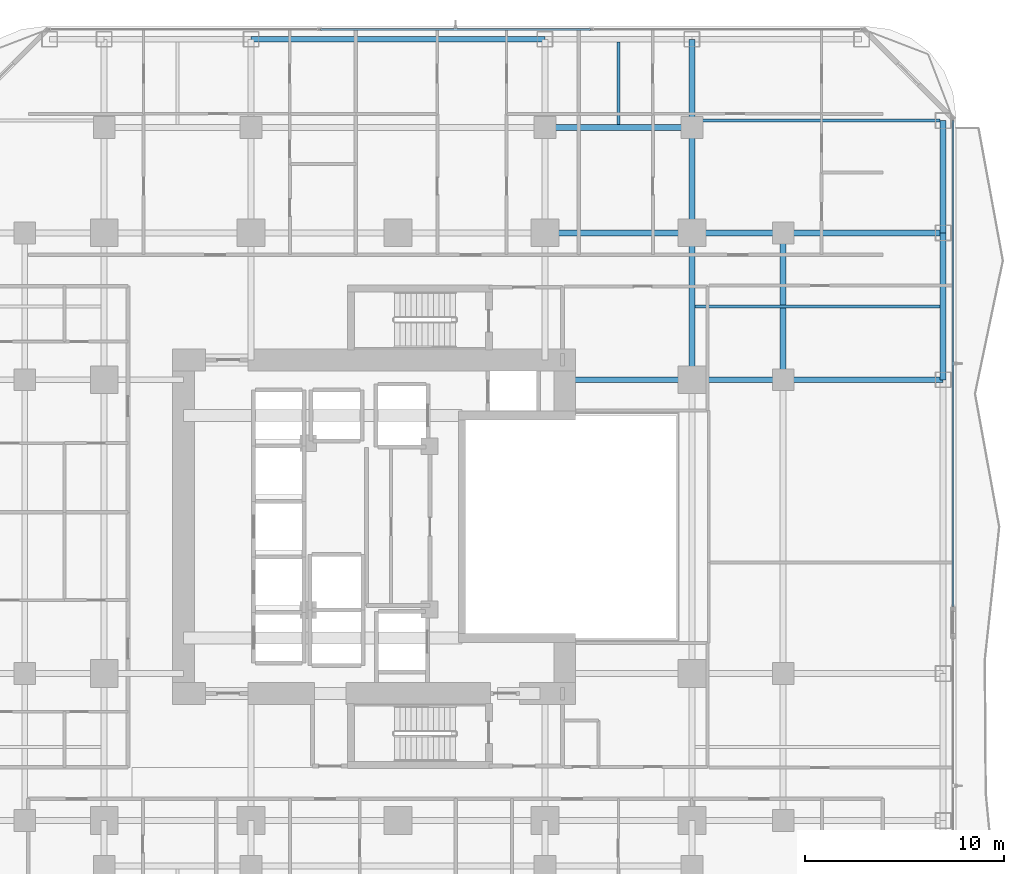
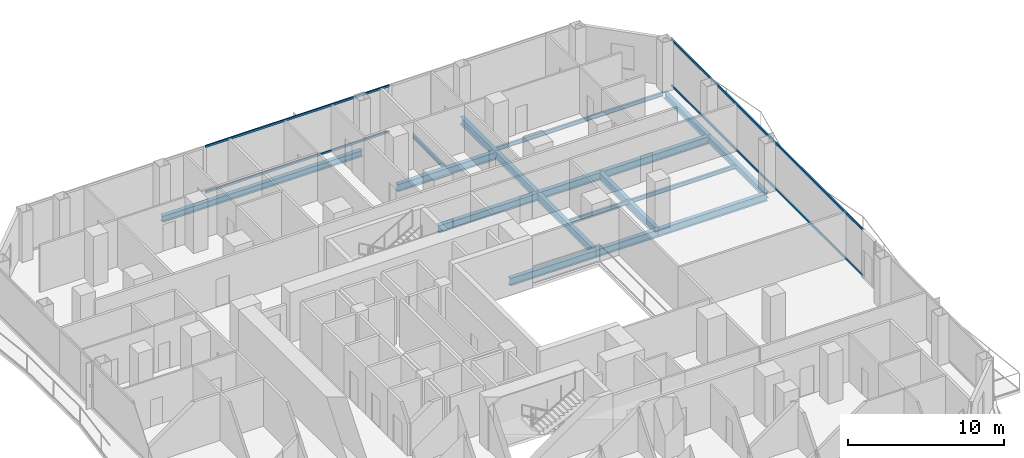
# One storey, part 16 of 30: 17 beams, 4 members, 2 elements without a shape of their own.
"""IFC4 building model written with IfcOpenShell, lengths in metres."""

from ifc_helpers import new_model, si_unit, direction, frame, origin, origin_2d, place, context, subcontext, project, spatial, hollow_rectangle, i_section, extrude, material, layer, layer_set, material_profile, profile_set, type_object, element, aggregate, save


model = new_model("IFC4")

# Units and contexts
model_context = context("Model", 3, precision=1e-05, world=origin(), true_north=direction((0.0, 1.0)))
body_context = subcontext(model_context, "Body", "Model", "MODEL_VIEW")
ifc_project = project(units=[si_unit("LENGTHUNIT", "METRE"), si_unit("AREAUNIT", "SQUARE_METRE"), si_unit("VOLUMEUNIT", "CUBIC_METRE"), si_unit("PLANEANGLEUNIT", "RADIAN"), si_unit("MASSUNIT", "GRAM", prefix="KILO")], contexts=[model_context])

# Site, building, storey
site_placement = place(None, origin())
site = spatial("IfcSite", under=ifc_project, at=site_placement, CompositionType="ELEMENT")
building_placement = place(site_placement, origin())
building = spatial("IfcBuilding", under=site, at=building_placement, Name="Khorvyn Point Tower", CompositionType="ELEMENT")
storey_placement = place(building_placement, frame((0.0, 0.0, 30.60009765625)))
storey = spatial("IfcBuildingStorey", under=building, at=storey_placement, Name="L08", CompositionType="ELEMENT", Elevation=30.60009765625)

# Curtain wall, members
ifc_material_1 = material(Name="Anodised aluminium 6063-T6 and laminated Low-E glass", Category="aluminium")
ifc_layer = layer(ifc_material_1, 0.18994140625)
ifc_layer_set = layer_set([ifc_layer], Name="Stick-Built Finned Residential Curtain Wall CW-SYS-02")
curtain_wall_type = type_object("IfcCurtainWallType", Name="Stick-Built Finned Residential Curtain Wall CW-SYS-02", PredefinedType="NOTDEFINED", material=ifc_layer_set)
curtain_wall_1_placement = place(storey_placement, origin())
curtain_wall_1 = element("IfcCurtainWall", 1, at=curtain_wall_1_placement, inside=storey, type_object=curtain_wall_type, Name="Curtain Wall", PredefinedType="NOTDEFINED")
ifc_material_2 = material(Name="Anodised aluminium 6063-T6", Category="aluminium")
ifc_material_profile_1 = material_profile(ifc_material_2, hollow_rectangle(XDim=0.10009765625, YDim=0.159912109375, WallThickness=0.00439453125, at=origin_2d()))
ifc_profile_set_1 = profile_set([ifc_material_profile_1], Name="Anodised aluminium 6063-T6 ALU-TRN-100x160")
member_type = type_object("IfcMemberType", Name="Anodised Aluminium 6063-T6 Transom ALU-TRN-100x160", PredefinedType="USERDEFINED", material=ifc_profile_set_1)
member_1_placement = place(storey_placement, frame((-3.89990234375, 25.050048828125, 0.0498046875), z_axis=(1.0, 0.0, 0.0), x_axis=(0.0, 1.0, 0.0)))
member_1 = element("IfcMember", 2, at=member_1_placement, type_object=member_type, Name="Transom", ObjectType="TRANSOM", PredefinedType="USERDEFINED", context=body_context, shape_type="SweptSolid", body=[
    extrude(hollow_rectangle(XDim=0.10009765625, YDim=0.159912109375, WallThickness=0.00439453125, at=origin_2d()), origin(), (0.0, 0.0, 1.0), 13.599853515625),
])
member_2_placement = place(storey_placement, frame((-3.89990234375, 25.050048828125, 3.6298828125), z_axis=(1.0, 0.0, 0.0), x_axis=(0.0, 1.0, 0.0)))
member_2 = element("IfcMember", 3, at=member_2_placement, type_object=member_type, Name="Transom", ObjectType="TRANSOM", PredefinedType="USERDEFINED", context=body_context, shape_type="SweptSolid", body=[
    extrude(hollow_rectangle(XDim=0.10009765625, YDim=0.159912109375, WallThickness=0.00439453125, at=origin_2d()), origin(), (0.0, 0.0, 1.0), 13.599853515625),
])
aggregate(curtain_wall_1, [member_1, member_2])

curtain_wall_2_placement = place(storey_placement, origin())
curtain_wall_2 = element("IfcCurtainWall", 4, at=curtain_wall_2_placement, inside=storey, type_object=curtain_wall_type, Name="Curtain Wall", PredefinedType="NOTDEFINED")
member_3_placement = place(storey_placement, frame((27.949951171875, 20.449951171875, 0.0498046875), z_axis=(0.0, -1.0, 0.0), x_axis=(1.0, 0.0, 0.0)))
member_3 = element("IfcMember", 5, at=member_3_placement, type_object=member_type, Name="Transom", ObjectType="TRANSOM", PredefinedType="USERDEFINED", context=body_context, shape_type="SweptSolid", body=[
    extrude(hollow_rectangle(XDim=0.10009765625, YDim=0.159912109375, WallThickness=0.00439453125, at=origin_2d()), origin(), (0.0, 0.0, 1.0), 24.4599609375),
])
member_4_placement = place(storey_placement, frame((27.949951171875, 20.449951171875, 3.6298828125), z_axis=(0.0, -1.0, 0.0), x_axis=(1.0, 0.0, 0.0)))
member_4 = element("IfcMember", 6, at=member_4_placement, type_object=member_type, Name="Transom", ObjectType="TRANSOM", PredefinedType="USERDEFINED", context=body_context, shape_type="SweptSolid", body=[
    extrude(hollow_rectangle(XDim=0.10009765625, YDim=0.159912109375, WallThickness=0.00439453125, at=origin_2d()), origin(), (0.0, 0.0, 1.0), 24.4599609375),
])
aggregate(curtain_wall_2, [member_3, member_4])

# Beams
ifc_material_3 = material(Name="Steel S355", Category="steel")
ifc_material_profile_2 = material_profile(ifc_material_3, i_section(OverallWidth=0.300048828125, OverallDepth=0.587890625, WebThickness=0.011962890625, FlangeThickness=0.02001953125, at=origin_2d()))
ifc_profile_set_2 = profile_set([ifc_material_profile_2], Name="Steel S355 H588x300x12x20")
beam_type_1 = type_object("IfcBeamType", Name="Steel S355 Beam H588x300x12x20", PredefinedType="BEAM", material=ifc_profile_set_2)
beam_1_placement = place(storey_placement, frame((7.39990234375, 14.800048828125, -0.51416015625), z_axis=(1.0, 0.0, 0.0), x_axis=(0.0, 1.0, 0.0)))
element("IfcBeam", 7, at=beam_1_placement, inside=storey, type_object=beam_type_1, Name="Beam", PredefinedType="BEAM", context=body_context, shape_type="SweptSolid", body=[
    extrude(i_section(OverallWidth=0.300048828125, OverallDepth=0.587890625, WebThickness=0.011962890625, FlangeThickness=0.02001953125, at=origin_2d()), origin(), (0.0, 0.0, 1.0), 7.400146484375),
])
beam_2_placement = place(storey_placement, frame((14.800048828125, 14.800048828125, -0.51416015625), z_axis=(1.0, 0.0, 0.0), x_axis=(0.0, 1.0, 0.0)))
element("IfcBeam", 8, at=beam_2_placement, inside=storey, type_object=beam_type_1, Name="Beam", PredefinedType="BEAM", context=body_context, shape_type="SweptSolid", body=[
    extrude(i_section(OverallWidth=0.300048828125, OverallDepth=0.587890625, WebThickness=0.011962890625, FlangeThickness=0.02001953125, at=origin_2d()), origin(), (0.0, 0.0, 1.0), 4.599853515625),
])
beam_3_placement = place(storey_placement, frame((19.39990234375, 14.800048828125, -0.51416015625), z_axis=(1.0, 0.0, 0.0), x_axis=(0.0, 1.0, 0.0)))
element("IfcBeam", 9, at=beam_3_placement, inside=storey, type_object=beam_type_1, Name="Beam", PredefinedType="BEAM", context=body_context, shape_type="SweptSolid", body=[
    extrude(i_section(OverallWidth=0.300048828125, OverallDepth=0.587890625, WebThickness=0.011962890625, FlangeThickness=0.02001953125, at=origin_2d()), origin(), (0.0, 0.0, 1.0), 8.050048828125),
])
beam_4_placement = place(storey_placement, frame((8.39990234375, 7.39990234375, -0.51416015625), z_axis=(1.0, 0.0, 0.0), x_axis=(0.0, 1.0, 0.0)))
element("IfcBeam", 10, at=beam_4_placement, inside=storey, type_object=beam_type_1, Name="Beam", PredefinedType="BEAM", context=body_context, shape_type="SweptSolid", body=[
    extrude(i_section(OverallWidth=0.300048828125, OverallDepth=0.587890625, WebThickness=0.011962890625, FlangeThickness=0.02001953125, at=origin_2d()), origin(), (0.0, 0.0, 1.0), 6.400146484375),
])
beam_5_placement = place(storey_placement, frame((14.800048828125, 7.39990234375, -0.51416015625), z_axis=(1.0, 0.0, 0.0), x_axis=(0.0, 1.0, 0.0)))
element("IfcBeam", 11, at=beam_5_placement, inside=storey, type_object=beam_type_1, Name="Beam", PredefinedType="BEAM", context=body_context, shape_type="SweptSolid", body=[
    extrude(i_section(OverallWidth=0.300048828125, OverallDepth=0.587890625, WebThickness=0.011962890625, FlangeThickness=0.02001953125, at=origin_2d()), origin(), (0.0, 0.0, 1.0), 4.599853515625),
])
beam_6_placement = place(storey_placement, frame((19.39990234375, 7.39990234375, -0.51416015625), z_axis=(1.0, 0.0, 0.0), x_axis=(0.0, 1.0, 0.0)))
element("IfcBeam", 12, at=beam_6_placement, inside=storey, type_object=beam_type_1, Name="Beam", PredefinedType="BEAM", context=body_context, shape_type="SweptSolid", body=[
    extrude(i_section(OverallWidth=0.300048828125, OverallDepth=0.587890625, WebThickness=0.011962890625, FlangeThickness=0.02001953125, at=origin_2d()), origin(), (0.0, 0.0, 1.0), 8.050048828125),
])
for number, where, z_axis, x_axis, name in (
    (13, (7.39990234375, 20.10009765625, -0.51416015625), (1.0, 0.0, 0.0), (0.0, 1.0, 0.0), "Beam"),
    (14, (14.800048828125, 7.39990234375, -0.51416015625), (0.0, 1.0, 0.0), (-1.0, 0.0, 0.0), "Beam"),
):
    element("IfcBeam", number, at=place(storey_placement, frame(where, z_axis=z_axis, x_axis=x_axis)), inside=storey, type_object=beam_type_1, Name=name, PredefinedType="BEAM", context=body_context, shape_type="SweptSolid", body=[
        extrude(i_section(OverallWidth=0.300048828125, OverallDepth=0.587890625, WebThickness=0.011962890625, FlangeThickness=0.02001953125, at=origin_2d()), origin(), (0.0, 0.0, 1.0), 7.400146484375),
    ])
beam_7_placement = place(storey_placement, frame((14.800048828125, 14.800048828125, -0.51416015625), z_axis=(0.0, 1.0, 0.0), x_axis=(-1.0, 0.0, 0.0)))
element("IfcBeam", 15, at=beam_7_placement, inside=storey, type_object=beam_type_1, Name="Beam", PredefinedType="BEAM", context=body_context, shape_type="SweptSolid", body=[
    extrude(i_section(OverallWidth=0.300048828125, OverallDepth=0.587890625, WebThickness=0.011962890625, FlangeThickness=0.02001953125, at=origin_2d()), origin(), (0.0, 0.0, 1.0), 5.300048828125),
])
beam_8_placement = place(storey_placement, frame((14.800048828125, 20.10009765625, -0.51416015625), z_axis=(0.0, 1.0, 0.0), x_axis=(-1.0, 0.0, 0.0)))
element("IfcBeam", 16, at=beam_8_placement, inside=storey, type_object=beam_type_1, Name="Beam", PredefinedType="BEAM", context=body_context, shape_type="SweptSolid", body=[
    extrude(i_section(OverallWidth=0.300048828125, OverallDepth=0.587890625, WebThickness=0.011962890625, FlangeThickness=0.02001953125, at=origin_2d()), origin(), (0.0, 0.0, 1.0), 4.449951171875),
])
beam_9_placement = place(storey_placement, frame((19.39990234375, 7.39990234375, -0.51416015625), z_axis=(0.0, 1.0, 0.0), x_axis=(-1.0, 0.0, 0.0)))
element("IfcBeam", 17, at=beam_9_placement, inside=storey, type_object=beam_type_1, Name="Beam", PredefinedType="BEAM", context=body_context, shape_type="SweptSolid", body=[
    extrude(i_section(OverallWidth=0.300048828125, OverallDepth=0.587890625, WebThickness=0.011962890625, FlangeThickness=0.02001953125, at=origin_2d()), origin(), (0.0, 0.0, 1.0), 7.400146484375),
])
ifc_material_profile_3 = material_profile(ifc_material_3, i_section(OverallWidth=0.14990234375, OverallDepth=0.300048828125, WebThickness=0.006591796875, FlangeThickness=0.009033203125, at=origin_2d()))
ifc_profile_set_3 = profile_set([ifc_material_profile_3], Name="Steel S355 H300x150x6.5x9")
beam_type_2 = type_object("IfcBeamType", Name="Steel S355 Joist H300x150x6.5x9", PredefinedType="JOIST", material=ifc_profile_set_3)
beam_10_placement = place(storey_placement, frame((14.949951171875, 11.10009765625, -0.3701171875), z_axis=(1.0, 0.0, 0.0), x_axis=(0.0, 1.0, 0.0)))
element("IfcBeam", 18, at=beam_10_placement, inside=storey, type_object=beam_type_2, Name="Beam", PredefinedType="JOIST", context=body_context, shape_type="SweptSolid", body=[
    extrude(i_section(OverallWidth=0.14990234375, OverallDepth=0.300048828125, WebThickness=0.006591796875, FlangeThickness=0.009033203125, at=origin_2d()), origin(), (0.0, 0.0, 1.0), 12.35009765625),
])
beam_11_placement = place(storey_placement, frame((11.10009765625, 20.25, -0.3701171875), z_axis=(0.0, 1.0, 0.0), x_axis=(-1.0, 0.0, 0.0)))
element("IfcBeam", 19, at=beam_11_placement, inside=storey, type_object=beam_type_2, Name="Beam", PredefinedType="JOIST", context=body_context, shape_type="SweptSolid", body=[
    extrude(i_section(OverallWidth=0.14990234375, OverallDepth=0.300048828125, WebThickness=0.006591796875, FlangeThickness=0.009033203125, at=origin_2d()), origin(), (0.0, 0.0, 1.0), 4.14990234375),
])
beam_12_placement = place(storey_placement, frame((14.949951171875, 20.449951171875, -0.3701171875), z_axis=(1.0, 0.0, 0.0), x_axis=(0.0, 1.0, 0.0)))
element("IfcBeam", 20, at=beam_12_placement, inside=storey, type_object=beam_type_2, Name="Beam", PredefinedType="JOIST", context=body_context, shape_type="SweptSolid", body=[
    extrude(i_section(OverallWidth=0.14990234375, OverallDepth=0.300048828125, WebThickness=0.006591796875, FlangeThickness=0.009033203125, at=origin_2d()), origin(), (0.0, 0.0, 1.0), 12.35009765625),
])
ifc_material_profile_4 = material_profile(ifc_material_3, i_section(OverallWidth=0.300048828125, OverallDepth=0.488037109375, WebThickness=0.010986328125, FlangeThickness=0.01806640625, at=origin_2d()))
ifc_profile_set_4 = profile_set([ifc_material_profile_4], Name="Steel S355 H488x300x11x18")
beam_type_3 = type_object("IfcBeamType", Name="Steel S355 Spandrel H488x300x11x18", PredefinedType="SPANDREL", material=ifc_profile_set_4)
beam_13_placement = place(storey_placement, frame((-7.39990234375, 24.550048828125, -0.464111328125), z_axis=(1.0, 0.0, 0.0), x_axis=(0.0, 1.0, 0.0)))
element("IfcBeam", 21, at=beam_13_placement, inside=storey, type_object=beam_type_3, Name="Beam", PredefinedType="SPANDREL", context=body_context, shape_type="SweptSolid", body=[
    extrude(i_section(OverallWidth=0.300048828125, OverallDepth=0.488037109375, WebThickness=0.010986328125, FlangeThickness=0.01806640625, at=origin_2d()), origin(), (0.0, 0.0, 1.0), 14.7998046875),
])
beam_14_placement = place(storey_placement, frame((27.449951171875, 7.39990234375, -0.464111328125), z_axis=(0.0, 1.0, 0.0), x_axis=(-1.0, 0.0, 0.0)))
element("IfcBeam", 22, at=beam_14_placement, inside=storey, type_object=beam_type_3, Name="Beam", PredefinedType="SPANDREL", context=body_context, shape_type="SweptSolid", body=[
    extrude(i_section(OverallWidth=0.300048828125, OverallDepth=0.488037109375, WebThickness=0.010986328125, FlangeThickness=0.01806640625, at=origin_2d()), origin(), (0.0, 0.0, 1.0), 7.400146484375),
])
beam_15_placement = place(storey_placement, frame((27.449951171875, 14.800048828125, -0.464111328125), z_axis=(0.0, 1.0, 0.0), x_axis=(-1.0, 0.0, 0.0)))
element("IfcBeam", 23, at=beam_15_placement, inside=storey, type_object=beam_type_3, Name="Beam", PredefinedType="SPANDREL", context=body_context, shape_type="SweptSolid", body=[
    extrude(i_section(OverallWidth=0.300048828125, OverallDepth=0.488037109375, WebThickness=0.010986328125, FlangeThickness=0.01806640625, at=origin_2d()), origin(), (0.0, 0.0, 1.0), 5.64990234375),
])

save(model, "model.ifc")
